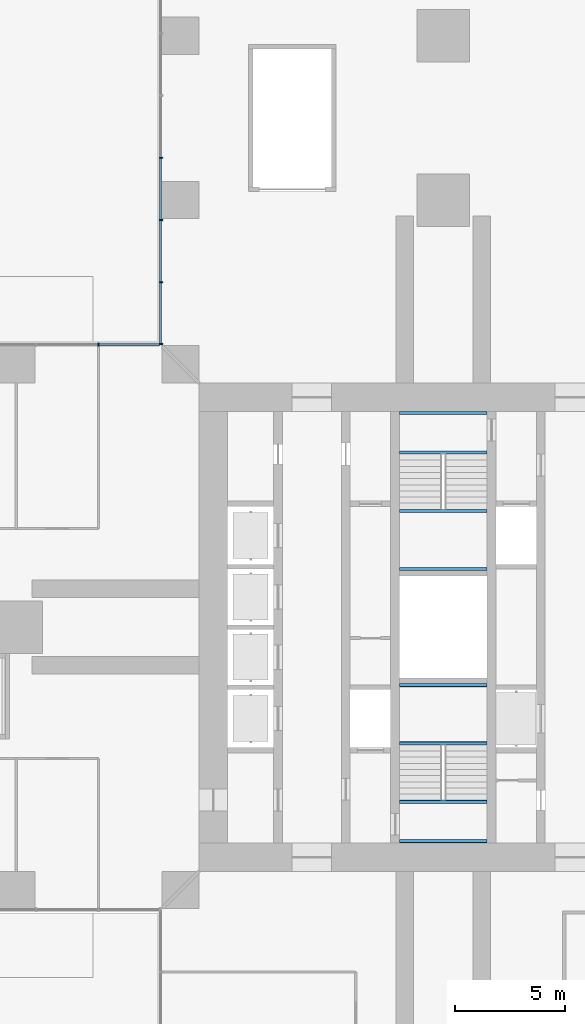
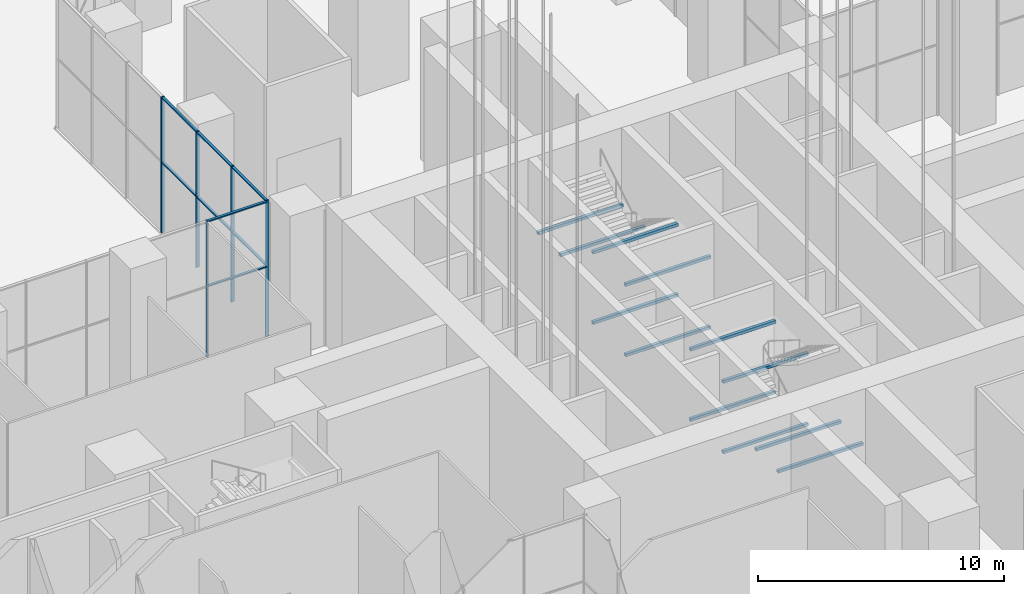
# One storey, part 9 of 43: 13 members, 12 beams, 2 elements without a shape of their own.
"""IFC4 building model written with IfcOpenShell, lengths in metres."""

from ifc_helpers import new_model, si_unit, direction, frame, origin, origin_2d, place, context, subcontext, project, spatial, rectangle, hollow_rectangle, extrude, material, material_profile, profile_set, type_object, element, aggregate, save


model = new_model("IFC4")

# Units and contexts
model_context = context("Model", 3, precision=1e-05, world=origin(), true_north=direction((0.0, 1.0)))
body_context = subcontext(model_context, "Body", "Model", "MODEL_VIEW")
ifc_project = project(units=[si_unit("LENGTHUNIT", "METRE"), si_unit("AREAUNIT", "SQUARE_METRE"), si_unit("VOLUMEUNIT", "CUBIC_METRE"), si_unit("PLANEANGLEUNIT", "RADIAN"), si_unit("MASSUNIT", "GRAM", prefix="KILO")], contexts=[model_context])

# Site, building, storey
site_placement = place(None, origin())
site = spatial("IfcSite", under=ifc_project, at=site_placement, CompositionType="ELEMENT")
building_placement = place(site_placement, origin())
building = spatial("IfcBuilding", under=site, at=building_placement, Name="Mizan Broadcast Tower", CompositionType="ELEMENT")
storey_placement = place(building_placement, origin())
storey = spatial("IfcBuildingStorey", under=building, at=storey_placement, Name="L00", CompositionType="ELEMENT", Elevation=0.0)

# Curtain wall, members
ifc_material_1 = material(Name="Aluminium framed glazing", Category="aluminium")
curtain_wall_type = type_object("IfcCurtainWallType", Name="PODIUM CURTAIN WALL", PredefinedType="USERDEFINED", material=ifc_material_1)
curtain_wall_1_placement = place(storey_placement, origin())
curtain_wall_1 = element("IfcCurtainWall", 1, at=curtain_wall_1_placement, inside=storey, type_object=curtain_wall_type, Name="Podium curtain wall L00 N side", ObjectType="PODIUM CURTAIN WALL", PredefinedType="USERDEFINED")
ifc_material_2 = material(Name="Aluminium, pale anodised", Category="aluminium")
ifc_material_profile_1 = material_profile(ifc_material_2, rectangle(XDim=0.159912109375, YDim=0.06005859375, at=origin_2d()), Name="MULLION 160x60")
ifc_profile_set_1 = profile_set([ifc_material_profile_1], Name="Aluminium, pale anodised")
member_type_1 = type_object("IfcMemberType", Name="INNER SKIN MULLION 60x160", PredefinedType="MULLION", material=ifc_profile_set_1)
member_1_placement = place(storey_placement, frame((-12.89990234375, 21.42919921875, 0.0), z_axis=(0.0, 0.0, 1.0), x_axis=(1.0, 0.0, 0.0)))
member_1 = element("IfcMember", 2, at=member_1_placement, type_object=member_type_1, Name="Podium curtain wall L00 N side mullion 4", PredefinedType="MULLION", context=body_context, shape_type="SweptSolid", body=[
    extrude(rectangle(XDim=0.159912109375, YDim=0.06005859375, at=origin_2d()), origin(), (0.0, 0.0, 1.0), 6.75),
])
member_2_placement = place(storey_placement, frame((-12.89990234375, 18.586181640625, 0.0), z_axis=(0.0, 0.0, 1.0), x_axis=(1.0, 0.0, 0.0)))
member_2 = element("IfcMember", 3, at=member_2_placement, type_object=member_type_1, Name="Podium curtain wall L00 N side mullion 5", PredefinedType="MULLION", context=body_context, shape_type="SweptSolid", body=[
    extrude(rectangle(XDim=0.159912109375, YDim=0.06005859375, at=origin_2d()), origin(), (0.0, 0.0, 1.0), 6.75),
])
member_3_placement = place(storey_placement, frame((-12.89990234375, 15.7431640625, 0.0), z_axis=(0.0, 0.0, 1.0), x_axis=(1.0, 0.0, 0.0)))
member_3 = element("IfcMember", 4, at=member_3_placement, type_object=member_type_1, Name="Podium curtain wall L00 N side mullion 6", PredefinedType="MULLION", context=body_context, shape_type="SweptSolid", body=[
    extrude(rectangle(XDim=0.159912109375, YDim=0.06005859375, at=origin_2d()), origin(), (0.0, 0.0, 1.0), 6.75),
])
member_4_placement = place(storey_placement, frame((-12.89990234375, 12.929931640625, 0.0), z_axis=(0.0, 0.0, 1.0), x_axis=(1.0, 0.0, 0.0)))
member_4 = element("IfcMember", 5, at=member_4_placement, type_object=member_type_1, Name="Podium curtain wall L00 N side mullion 7", PredefinedType="MULLION", context=body_context, shape_type="SweptSolid", body=[
    extrude(rectangle(XDim=0.159912109375, YDim=0.06005859375, at=origin_2d()), origin(), (0.0, 0.0, 1.0), 6.75),
])

# Curtain wall, member
curtain_wall_2_placement = place(storey_placement, origin())
curtain_wall_2 = element("IfcCurtainWall", 6, at=curtain_wall_2_placement, inside=storey, type_object=curtain_wall_type, Name="Podium curtain wall L00 W side", ObjectType="PODIUM CURTAIN WALL", PredefinedType="USERDEFINED")
member_5_placement = place(storey_placement, frame((-15.7431640625, 12.89990234375, 0.0), z_axis=(0.0, 0.0, 1.0), x_axis=(0.0, -1.0, 0.0)))
member_5 = element("IfcMember", 7, at=member_5_placement, type_object=member_type_1, Name="Podium curtain wall L00 W side mullion 2", PredefinedType="MULLION", context=body_context, shape_type="SweptSolid", body=[
    extrude(rectangle(XDim=0.159912109375, YDim=0.06005859375, at=origin_2d()), origin(), (0.0, 0.0, 1.0), 6.75),
])

# Member
ifc_material_3 = material(Name="Aluminium, pale anodised", Category="aluminium")
ifc_material_profile_2 = material_profile(ifc_material_3, rectangle(XDim=0.1201171875, YDim=0.06005859375, at=origin_2d()), Name="TRANSOM 120x60")
ifc_profile_set_2 = profile_set([ifc_material_profile_2], Name="Aluminium, pale anodised")
member_type_2 = type_object("IfcMemberType", Name="INNER SKIN TRANSOM 60x120", PredefinedType="USERDEFINED", material=ifc_profile_set_2)
member_6_placement = place(storey_placement, frame((-12.89990234375, 21.399169921875, 3.5), z_axis=(0.0, -1.0, 0.0), x_axis=(1.0, 0.0, 0.0)))
member_6 = element("IfcMember", 8, at=member_6_placement, type_object=member_type_2, Name="Podium curtain wall L00 N side transom 4.1", ObjectType="TRANSOM", PredefinedType="USERDEFINED", context=body_context, shape_type="SweptSolid", body=[
    extrude(rectangle(XDim=0.1201171875, YDim=0.06005859375, at=origin_2d()), origin(), (0.0, 0.0, 1.0), 2.782958984375),
])

member_7_placement = place(storey_placement, frame((-12.89990234375, 21.399169921875, 6.719970703125), z_axis=(0.0, -1.0, 0.0), x_axis=(1.0, 0.0, 0.0)))
member_7 = element("IfcMember", 9, at=member_7_placement, type_object=member_type_2, Name="Podium curtain wall L00 N side transom 4.2", ObjectType="TRANSOM", PredefinedType="USERDEFINED", context=body_context, shape_type="SweptSolid", body=[
    extrude(rectangle(XDim=0.1201171875, YDim=0.06005859375, at=origin_2d()), origin(), (0.0, 0.0, 1.0), 2.782958984375),
])

member_8_placement = place(storey_placement, frame((-12.89990234375, 18.55615234375, 3.5), z_axis=(0.0, -1.0, 0.0), x_axis=(1.0, 0.0, 0.0)))
member_8 = element("IfcMember", 10, at=member_8_placement, type_object=member_type_2, Name="Podium curtain wall L00 N side transom 5.1", ObjectType="TRANSOM", PredefinedType="USERDEFINED", context=body_context, shape_type="SweptSolid", body=[
    extrude(rectangle(XDim=0.1201171875, YDim=0.06005859375, at=origin_2d()), origin(), (0.0, 0.0, 1.0), 2.782958984375),
])

member_9_placement = place(storey_placement, frame((-12.89990234375, 18.55615234375, 6.719970703125), z_axis=(0.0, -1.0, 0.0), x_axis=(1.0, 0.0, 0.0)))
member_9 = element("IfcMember", 11, at=member_9_placement, type_object=member_type_2, Name="Podium curtain wall L00 N side transom 5.2", ObjectType="TRANSOM", PredefinedType="USERDEFINED", context=body_context, shape_type="SweptSolid", body=[
    extrude(rectangle(XDim=0.1201171875, YDim=0.06005859375, at=origin_2d()), origin(), (0.0, 0.0, 1.0), 2.782958984375),
])

member_10_placement = place(storey_placement, frame((-12.89990234375, 15.713134765625, 3.5), z_axis=(0.0, -1.0, 0.0), x_axis=(1.0, 0.0, 0.0)))
member_10 = element("IfcMember", 12, at=member_10_placement, type_object=member_type_2, Name="Podium curtain wall L00 N side transom 6.1", ObjectType="TRANSOM", PredefinedType="USERDEFINED", context=body_context, shape_type="SweptSolid", body=[
    extrude(rectangle(XDim=0.1201171875, YDim=0.06005859375, at=origin_2d()), origin(), (0.0, 0.0, 1.0), 2.753173828125),
])

member_11_placement = place(storey_placement, frame((-12.89990234375, 15.713134765625, 6.719970703125), z_axis=(0.0, -1.0, 0.0), x_axis=(1.0, 0.0, 0.0)))
member_11 = element("IfcMember", 13, at=member_11_placement, type_object=member_type_2, Name="Podium curtain wall L00 N side transom 6.2", ObjectType="TRANSOM", PredefinedType="USERDEFINED", context=body_context, shape_type="SweptSolid", body=[
    extrude(rectangle(XDim=0.1201171875, YDim=0.06005859375, at=origin_2d()), origin(), (0.0, 0.0, 1.0), 2.753173828125),
])

aggregate(curtain_wall_1, [member_1, member_2, member_3, member_4, member_6, member_7, member_8, member_9, member_10, member_11])

member_12_placement = place(storey_placement, frame((-12.9599609375, 12.89990234375, 3.5), z_axis=(-1.0, 0.0, 0.0), x_axis=(0.0, -1.0, 0.0)))
member_12 = element("IfcMember", 14, at=member_12_placement, type_object=member_type_2, Name="Podium curtain wall L00 W side transom 1.1", ObjectType="TRANSOM", PredefinedType="USERDEFINED", context=body_context, shape_type="SweptSolid", body=[
    extrude(rectangle(XDim=0.1201171875, YDim=0.06005859375, at=origin_2d()), origin(), (0.0, 0.0, 1.0), 2.753173828125),
])

member_13_placement = place(storey_placement, frame((-12.9599609375, 12.89990234375, 6.719970703125), z_axis=(-1.0, 0.0, 0.0), x_axis=(0.0, -1.0, 0.0)))
member_13 = element("IfcMember", 15, at=member_13_placement, type_object=member_type_2, Name="Podium curtain wall L00 W side transom 1.2", ObjectType="TRANSOM", PredefinedType="USERDEFINED", context=body_context, shape_type="SweptSolid", body=[
    extrude(rectangle(XDim=0.1201171875, YDim=0.06005859375, at=origin_2d()), origin(), (0.0, 0.0, 1.0), 2.753173828125),
])

aggregate(curtain_wall_2, [member_5, member_12, member_13])

# Beams
ifc_material_4 = material(Name="Steel S355", Category="steel")
ifc_material_profile_3 = material_profile(ifc_material_4, hollow_rectangle(XDim=0.14990234375, YDim=0.14990234375, WallThickness=0.008056640625, InnerFilletRadius=0.008056640625, OuterFilletRadius=0.011962890625, at=origin_2d()), Name="SHS 150x150x8")
ifc_profile_set_3 = profile_set([ifc_material_profile_3], Name="Steel S355")
beam_type = type_object("IfcBeamType", Name="LANDING TRIMMER SHS 150x150x8", PredefinedType="BEAM", material=ifc_profile_set_3)
for number, where, z_axis, x_axis, name in (
    (16, (-2.0, -5.304931640625, 1.47509765625), (1.0, 0.0, 0.0), (0.0, 1.0, 0.0), "Stair A landing trimmer L00"),
    (17, (-2.0, -2.64990234375, 1.47509765625), (1.0, 0.0, 0.0), (0.0, 1.0, 0.0), "Stair A landing trimmer L00"),
    (18, (-2.0, -9.77490234375, 3.22509765625), (1.0, 0.0, 0.0), (0.0, 1.0, 0.0), "Stair A landing trimmer L00"),
    (19, (-2.0, -7.97509765625, 3.22509765625), (1.0, 0.0, 0.0), (0.0, 1.0, 0.0), "Stair A landing trimmer L00"),
    (20, (-2.0, -5.304931640625, 4.97509765625), (1.0, 0.0, 0.0), (0.0, 1.0, 0.0), "Stair A landing trimmer L00"),
    (21, (-2.0, -2.64990234375, 4.97509765625), (1.0, 0.0, 0.0), (0.0, 1.0, 0.0), "Stair A landing trimmer L00"),
    (22, (2.0, 5.304931640625, 1.47509765625), (-1.0, 0.0, 0.0), (0.0, -1.0, 0.0), "Stair B landing trimmer L00"),
    (23, (2.0, 2.64990234375, 1.47509765625), (-1.0, 0.0, 0.0), (0.0, -1.0, 0.0), "Stair B landing trimmer L00"),
    (24, (2.0, 9.77490234375, 3.22509765625), (-1.0, 0.0, 0.0), (0.0, -1.0, 0.0), "Stair B landing trimmer L00"),
    (25, (2.0, 7.97509765625, 3.22509765625), (-1.0, 0.0, 0.0), (0.0, -1.0, 0.0), "Stair B landing trimmer L00"),
    (26, (2.0, 5.304931640625, 4.97509765625), (-1.0, 0.0, 0.0), (0.0, -1.0, 0.0), "Stair B landing trimmer L00"),
    (27, (2.0, 2.64990234375, 4.97509765625), (-1.0, 0.0, 0.0), (0.0, -1.0, 0.0), "Stair B landing trimmer L00"),
):
    element("IfcBeam", number, at=place(storey_placement, frame(where, z_axis=z_axis, x_axis=x_axis)), inside=storey, type_object=beam_type, Name=name, PredefinedType="BEAM", context=body_context, shape_type="SweptSolid", body=[
        extrude(hollow_rectangle(XDim=0.14990234375, YDim=0.14990234375, WallThickness=0.008056640625, InnerFilletRadius=0.008056640625, OuterFilletRadius=0.011962890625, at=origin_2d()), origin(), (0.0, 0.0, 1.0), 4.0),
    ])

save(model, "model.ifc")
